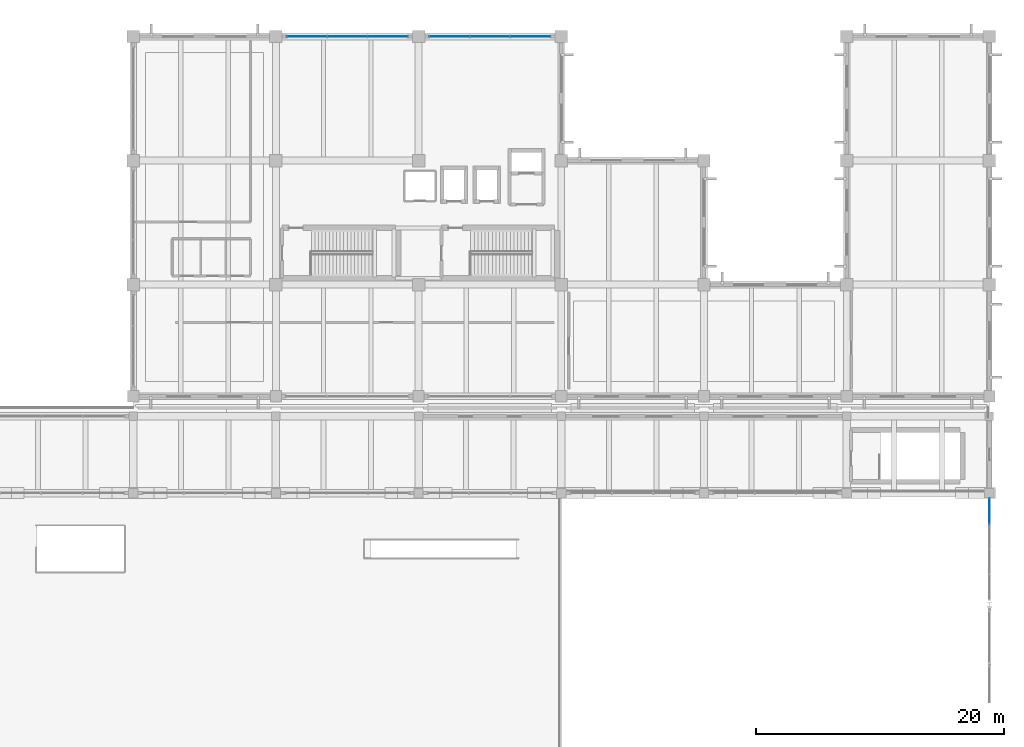
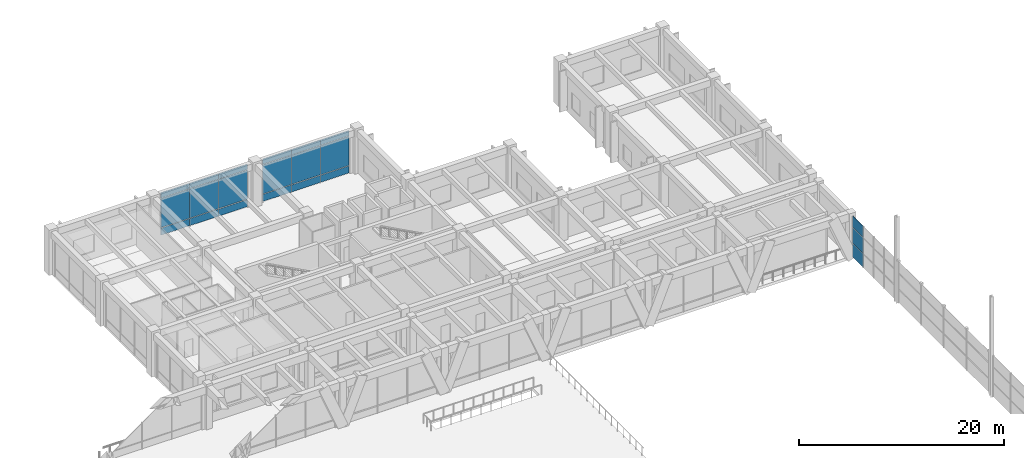
# One storey, part 123 of 148: 21 plates, 3 elements without a shape of their own.
"""IFC4 building model written with IfcOpenShell, lengths in metres."""

from ifc_helpers import new_model, si_unit, direction, frame, origin, origin_2d, place, context, subcontext, project, spatial, rectangle, extrude, material, layer, layer_set, type_object, element, aggregate, save


model = new_model("IFC4")

# Units and contexts
model_context = context("Model", 3, precision=1e-05, world=origin(), true_north=direction((0.0, 1.0)))
body_context = subcontext(model_context, "Body", "Model", "MODEL_VIEW")
ifc_project = project(units=[si_unit("LENGTHUNIT", "METRE"), si_unit("AREAUNIT", "SQUARE_METRE"), si_unit("VOLUMEUNIT", "CUBIC_METRE"), si_unit("PLANEANGLEUNIT", "RADIAN"), si_unit("MASSUNIT", "GRAM", prefix="KILO")], contexts=[model_context])

# Site, building, storey
site_placement = place(None, origin())
site = spatial("IfcSite", under=ifc_project, at=site_placement, CompositionType="ELEMENT")
building_placement = place(site_placement, origin())
building = spatial("IfcBuilding", under=site, at=building_placement, Name="Ologun Quay Terminus", CompositionType="ELEMENT")
storey_placement = place(building_placement, frame((0.0, 0.0, 8.39990234375)))
storey = spatial("IfcBuildingStorey", under=building, at=storey_placement, Name="L02", CompositionType="ELEMENT", Elevation=8.39990234375)

# Curtain wall, plates
ifc_material_1 = material(Name="Aluminium 6063-T6", Category="aluminium")
curtain_wall_type_1 = type_object("IfcCurtainWallType", Name="Train Shed Gable Arch Screen 13500x4900", PredefinedType="USERDEFINED", material=ifc_material_1)
curtain_wall_1_placement = place(storey_placement, origin())
curtain_wall_1 = element("IfcCurtainWall", 1, at=curtain_wall_1_placement, inside=storey, type_object=curtain_wall_type_1, Name="CW-10 Curtain Wall CW-GBL-E3", ObjectType="UNITISED CURTAIN WALL", PredefinedType="USERDEFINED")
ifc_material_2 = material(Name="Glass", Category="glass")
ifc_layer_1 = layer(ifc_material_2, 0.031982421875)
ifc_layer_set_1 = layer_set([ifc_layer_1], Name="Glass")
plate_type_1 = type_object("IfcPlateType", Name="Acoustic Low-E Laminated Glazed Panel 32", PredefinedType="CURTAIN_PANEL", material=ifc_layer_set_1)
plate_1_placement = place(storey_placement, frame((184.0, 76.574951171875, 0.170166015625), z_axis=(0.0, 0.0, 1.0), x_axis=(0.0, 1.0, 0.0)))
plate_1 = element("IfcPlate", 2, at=plate_1_placement, type_object=plate_type_1, Name="CW-GBL-E3 Panel B4-1", PredefinedType="CURTAIN_PANEL", context=body_context, shape_type="SweptSolid", body=[
    extrude(rectangle(XDim=2.050048828125, YDim=0.031982421875, at=origin_2d()), origin(), (0.0, 0.0, 1.0), 1.60009765625),
])
plate_2_placement = place(storey_placement, frame((184.0, 76.574951171875, 1.830078125), z_axis=(0.0, 0.0, 1.0), x_axis=(0.0, 1.0, 0.0)))
plate_2 = element("IfcPlate", 3, at=plate_2_placement, type_object=plate_type_1, Name="CW-GBL-E3 Panel B4-2", PredefinedType="CURTAIN_PANEL", context=body_context, shape_type="SweptSolid", body=[
    extrude(rectangle(XDim=2.050048828125, YDim=0.031982421875, at=origin_2d()), origin(), (0.0, 0.0, 1.0), 1.840087890625),
])
plate_3_placement = place(storey_placement, frame((184.0, 76.574951171875, 3.72998046875), z_axis=(0.0, 0.0, 1.0), x_axis=(0.0, 1.0, 0.0)))
plate_3 = element("IfcPlate", 4, at=plate_3_placement, type_object=plate_type_1, Name="CW-GBL-E3 Panel B4-3", PredefinedType="CURTAIN_PANEL", context=body_context, shape_type="SweptSolid", body=[
    extrude(rectangle(XDim=2.050048828125, YDim=0.031982421875, at=origin_2d()), origin(), (0.0, 0.0, 1.0), 1.340087890625),
])
aggregate(curtain_wall_1, [plate_1, plate_2, plate_3])

ifc_material_3 = material(Name="Aluminium 6063-T6", Category="aluminium")
curtain_wall_type_2 = type_object("IfcCurtainWallType", Name="Waterfront Pavilion Harbour Curtain Wall L02 10500x5000", PredefinedType="USERDEFINED", material=ifc_material_3)
curtain_wall_2_placement = place(storey_placement, origin())
curtain_wall_2 = element("IfcCurtainWall", 5, at=curtain_wall_2_placement, inside=storey, type_object=curtain_wall_type_2, Name="CW-24 Curtain Wall CW-L02-133", ObjectType="UNITISED CURTAIN WALL", PredefinedType="USERDEFINED")
plate_4_placement = place(storey_placement, frame((128.99658203125, 114.800048828125, 0.93017578125), z_axis=(0.0, 0.0, 1.0), x_axis=(1.0, 0.0, 0.0)))
plate_4 = element("IfcPlate", 6, at=plate_4_placement, type_object=plate_type_1, Name="CW-L02-133 Panel B1-2", PredefinedType="CURTAIN_PANEL", context=body_context, shape_type="SweptSolid", body=[
    extrude(rectangle(XDim=3.25341796875, YDim=0.031982421875, at=origin_2d()), origin(), (0.0, 0.0, 1.0), 3.469970703125),
])
plate_5_placement = place(storey_placement, frame((128.99658203125, 114.800048828125, 4.4599609375), z_axis=(0.0, 0.0, 1.0), x_axis=(1.0, 0.0, 0.0)))
plate_5 = element("IfcPlate", 7, at=plate_5_placement, type_object=plate_type_1, Name="CW-L02-133 Panel B1-3", PredefinedType="CURTAIN_PANEL", context=body_context, shape_type="SweptSolid", body=[
    extrude(rectangle(XDim=3.25341796875, YDim=0.031982421875, at=origin_2d()), origin(), (0.0, 0.0, 1.0), 0.639892578125),
])
plate_6_placement = place(storey_placement, frame((132.25, 114.800048828125, 0.93017578125), z_axis=(0.0, 0.0, 1.0), x_axis=(1.0, 0.0, 0.0)))
plate_6 = element("IfcPlate", 8, at=plate_6_placement, type_object=plate_type_1, Name="CW-L02-133 Panel B2-2", PredefinedType="CURTAIN_PANEL", context=body_context, shape_type="SweptSolid", body=[
    extrude(rectangle(XDim=3.25341796875, YDim=0.031982421875, at=origin_2d()), origin(), (0.0, 0.0, 1.0), 3.469970703125),
])
plate_7_placement = place(storey_placement, frame((132.25, 114.800048828125, 4.4599609375), z_axis=(0.0, 0.0, 1.0), x_axis=(1.0, 0.0, 0.0)))
plate_7 = element("IfcPlate", 9, at=plate_7_placement, type_object=plate_type_1, Name="CW-L02-133 Panel B2-3", PredefinedType="CURTAIN_PANEL", context=body_context, shape_type="SweptSolid", body=[
    extrude(rectangle(XDim=3.25341796875, YDim=0.031982421875, at=origin_2d()), origin(), (0.0, 0.0, 1.0), 0.639892578125),
])
plate_8_placement = place(storey_placement, frame((135.50341796875, 114.800048828125, 0.93017578125), z_axis=(0.0, 0.0, 1.0), x_axis=(1.0, 0.0, 0.0)))
plate_8 = element("IfcPlate", 10, at=plate_8_placement, type_object=plate_type_1, Name="CW-L02-133 Panel B3-2", PredefinedType="CURTAIN_PANEL", context=body_context, shape_type="SweptSolid", body=[
    extrude(rectangle(XDim=3.25341796875, YDim=0.031982421875, at=origin_2d()), origin(), (0.0, 0.0, 1.0), 3.469970703125),
])
plate_9_placement = place(storey_placement, frame((135.50341796875, 114.800048828125, 4.4599609375), z_axis=(0.0, 0.0, 1.0), x_axis=(1.0, 0.0, 0.0)))
plate_9 = element("IfcPlate", 11, at=plate_9_placement, type_object=plate_type_1, Name="CW-L02-133 Panel B3-3", PredefinedType="CURTAIN_PANEL", context=body_context, shape_type="SweptSolid", body=[
    extrude(rectangle(XDim=3.25341796875, YDim=0.031982421875, at=origin_2d()), origin(), (0.0, 0.0, 1.0), 0.639892578125),
])

curtain_wall_3_placement = place(storey_placement, origin())
curtain_wall_3 = element("IfcCurtainWall", 12, at=curtain_wall_3_placement, inside=storey, type_object=curtain_wall_type_2, Name="CW-24 Curtain Wall CW-L02-134", ObjectType="UNITISED CURTAIN WALL", PredefinedType="USERDEFINED")
plate_10_placement = place(storey_placement, frame((140.49658203125, 114.800048828125, 0.93017578125), z_axis=(0.0, 0.0, 1.0), x_axis=(1.0, 0.0, 0.0)))
plate_10 = element("IfcPlate", 13, at=plate_10_placement, type_object=plate_type_1, Name="CW-L02-134 Panel B1-2", PredefinedType="CURTAIN_PANEL", context=body_context, shape_type="SweptSolid", body=[
    extrude(rectangle(XDim=3.25341796875, YDim=0.031982421875, at=origin_2d()), origin(), (0.0, 0.0, 1.0), 3.469970703125),
])
plate_11_placement = place(storey_placement, frame((140.49658203125, 114.800048828125, 4.4599609375), z_axis=(0.0, 0.0, 1.0), x_axis=(1.0, 0.0, 0.0)))
plate_11 = element("IfcPlate", 14, at=plate_11_placement, type_object=plate_type_1, Name="CW-L02-134 Panel B1-3", PredefinedType="CURTAIN_PANEL", context=body_context, shape_type="SweptSolid", body=[
    extrude(rectangle(XDim=3.25341796875, YDim=0.031982421875, at=origin_2d()), origin(), (0.0, 0.0, 1.0), 0.639892578125),
])
plate_12_placement = place(storey_placement, frame((143.75, 114.800048828125, 0.93017578125), z_axis=(0.0, 0.0, 1.0), x_axis=(1.0, 0.0, 0.0)))
plate_12 = element("IfcPlate", 15, at=plate_12_placement, type_object=plate_type_1, Name="CW-L02-134 Panel B2-2", PredefinedType="CURTAIN_PANEL", context=body_context, shape_type="SweptSolid", body=[
    extrude(rectangle(XDim=3.25341796875, YDim=0.031982421875, at=origin_2d()), origin(), (0.0, 0.0, 1.0), 3.469970703125),
])
plate_13_placement = place(storey_placement, frame((143.75, 114.800048828125, 4.4599609375), z_axis=(0.0, 0.0, 1.0), x_axis=(1.0, 0.0, 0.0)))
plate_13 = element("IfcPlate", 16, at=plate_13_placement, type_object=plate_type_1, Name="CW-L02-134 Panel B2-3", PredefinedType="CURTAIN_PANEL", context=body_context, shape_type="SweptSolid", body=[
    extrude(rectangle(XDim=3.25341796875, YDim=0.031982421875, at=origin_2d()), origin(), (0.0, 0.0, 1.0), 0.639892578125),
])
plate_14_placement = place(storey_placement, frame((147.00341796875, 114.800048828125, 0.93017578125), z_axis=(0.0, 0.0, 1.0), x_axis=(1.0, 0.0, 0.0)))
plate_14 = element("IfcPlate", 17, at=plate_14_placement, type_object=plate_type_1, Name="CW-L02-134 Panel B3-2", PredefinedType="CURTAIN_PANEL", context=body_context, shape_type="SweptSolid", body=[
    extrude(rectangle(XDim=3.25341796875, YDim=0.031982421875, at=origin_2d()), origin(), (0.0, 0.0, 1.0), 3.469970703125),
])
plate_15_placement = place(storey_placement, frame((147.00341796875, 114.800048828125, 4.4599609375), z_axis=(0.0, 0.0, 1.0), x_axis=(1.0, 0.0, 0.0)))
plate_15 = element("IfcPlate", 18, at=plate_15_placement, type_object=plate_type_1, Name="CW-L02-134 Panel B3-3", PredefinedType="CURTAIN_PANEL", context=body_context, shape_type="SweptSolid", body=[
    extrude(rectangle(XDim=3.25341796875, YDim=0.031982421875, at=origin_2d()), origin(), (0.0, 0.0, 1.0), 0.639892578125),
])

# Plate
ifc_material_4 = material(Name="Aluminium 6063-T6", Category="aluminium")
ifc_layer_2 = layer(ifc_material_4, 0.050048828125)
ifc_layer_set_2 = layer_set([ifc_layer_2], Name="Aluminium 6063-T6")
plate_type_2 = type_object("IfcPlateType", Name="Insulated Aluminium Shadow-Box Spandrel 50", PredefinedType="CURTAIN_PANEL", material=ifc_layer_set_2)
plate_16_placement = place(storey_placement, frame((128.99658203125, 114.800048828125, 0.0302734375), z_axis=(0.0, 0.0, 1.0), x_axis=(1.0, 0.0, 0.0)))
plate_16 = element("IfcPlate", 19, at=plate_16_placement, type_object=plate_type_2, Name="CW-L02-133 Panel B1-1", PredefinedType="CURTAIN_PANEL", context=body_context, shape_type="SweptSolid", body=[
    extrude(rectangle(XDim=3.25341796875, YDim=0.050048828125, at=origin_2d()), origin(), (0.0, 0.0, 1.0), 0.840087890625),
])

plate_17_placement = place(storey_placement, frame((132.25, 114.800048828125, 0.0302734375), z_axis=(0.0, 0.0, 1.0), x_axis=(1.0, 0.0, 0.0)))
plate_17 = element("IfcPlate", 20, at=plate_17_placement, type_object=plate_type_2, Name="CW-L02-133 Panel B2-1", PredefinedType="CURTAIN_PANEL", context=body_context, shape_type="SweptSolid", body=[
    extrude(rectangle(XDim=3.25341796875, YDim=0.050048828125, at=origin_2d()), origin(), (0.0, 0.0, 1.0), 0.840087890625),
])

plate_18_placement = place(storey_placement, frame((135.50341796875, 114.800048828125, 0.0302734375), z_axis=(0.0, 0.0, 1.0), x_axis=(1.0, 0.0, 0.0)))
plate_18 = element("IfcPlate", 21, at=plate_18_placement, type_object=plate_type_2, Name="CW-L02-133 Panel B3-1", PredefinedType="CURTAIN_PANEL", context=body_context, shape_type="SweptSolid", body=[
    extrude(rectangle(XDim=3.25341796875, YDim=0.050048828125, at=origin_2d()), origin(), (0.0, 0.0, 1.0), 0.840087890625),
])

aggregate(curtain_wall_2, [plate_16, plate_4, plate_5, plate_17, plate_6, plate_7, plate_18, plate_8, plate_9])

plate_19_placement = place(storey_placement, frame((140.49658203125, 114.800048828125, 0.0302734375), z_axis=(0.0, 0.0, 1.0), x_axis=(1.0, 0.0, 0.0)))
plate_19 = element("IfcPlate", 22, at=plate_19_placement, type_object=plate_type_2, Name="CW-L02-134 Panel B1-1", PredefinedType="CURTAIN_PANEL", context=body_context, shape_type="SweptSolid", body=[
    extrude(rectangle(XDim=3.25341796875, YDim=0.050048828125, at=origin_2d()), origin(), (0.0, 0.0, 1.0), 0.840087890625),
])

plate_20_placement = place(storey_placement, frame((143.75, 114.800048828125, 0.0302734375), z_axis=(0.0, 0.0, 1.0), x_axis=(1.0, 0.0, 0.0)))
plate_20 = element("IfcPlate", 23, at=plate_20_placement, type_object=plate_type_2, Name="CW-L02-134 Panel B2-1", PredefinedType="CURTAIN_PANEL", context=body_context, shape_type="SweptSolid", body=[
    extrude(rectangle(XDim=3.25341796875, YDim=0.050048828125, at=origin_2d()), origin(), (0.0, 0.0, 1.0), 0.840087890625),
])

plate_21_placement = place(storey_placement, frame((147.00341796875, 114.800048828125, 0.0302734375), z_axis=(0.0, 0.0, 1.0), x_axis=(1.0, 0.0, 0.0)))
plate_21 = element("IfcPlate", 24, at=plate_21_placement, type_object=plate_type_2, Name="CW-L02-134 Panel B3-1", PredefinedType="CURTAIN_PANEL", context=body_context, shape_type="SweptSolid", body=[
    extrude(rectangle(XDim=3.25341796875, YDim=0.050048828125, at=origin_2d()), origin(), (0.0, 0.0, 1.0), 0.840087890625),
])

aggregate(curtain_wall_3, [plate_19, plate_10, plate_11, plate_20, plate_12, plate_13, plate_21, plate_14, plate_15])

save(model, "model.ifc")
